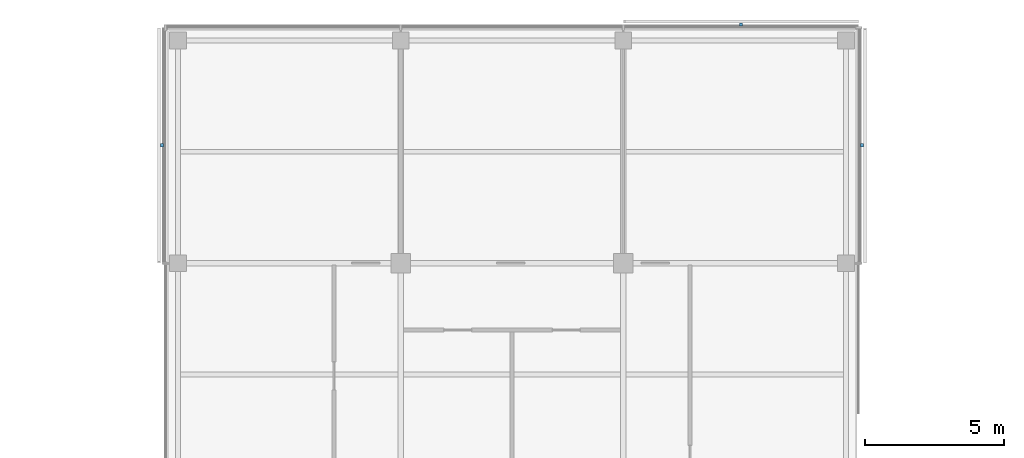
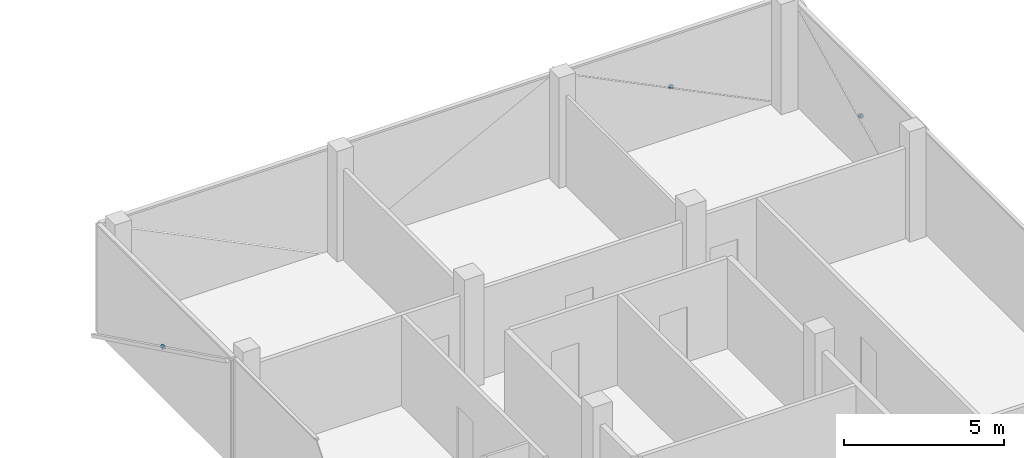
# One storey, part 15 of 16: 3 discrete accessories.
"""IFC4 building model written with IfcOpenShell, lengths in metres."""

from ifc_helpers import new_model, si_unit, direction, frame, origin, origin_2d, place, context, subcontext, project, spatial, rectangle, extrude, material, type_object, element, save


model = new_model("IFC4")

# Units and contexts
model_context = context("Model", 3, precision=1e-05, world=origin(), true_north=direction((0.0, 1.0)))
body_context = subcontext(model_context, "Body", "Model", "MODEL_VIEW")
ifc_project = project(units=[si_unit("LENGTHUNIT", "METRE"), si_unit("AREAUNIT", "SQUARE_METRE"), si_unit("VOLUMEUNIT", "CUBIC_METRE"), si_unit("PLANEANGLEUNIT", "RADIAN"), si_unit("MASSUNIT", "GRAM", prefix="KILO")], contexts=[model_context])

# Site, building, storey
site_placement = place(None, origin())
site = spatial("IfcSite", under=ifc_project, at=site_placement, CompositionType="ELEMENT")
building_placement = place(site_placement, origin())
building = spatial("IfcBuilding", under=site, at=building_placement, Name="Crosswind Convention Tower", CompositionType="ELEMENT")
storey_placement = place(building_placement, frame((0.0, 0.0, 253.5)))
storey = spatial("IfcBuildingStorey", under=building, at=storey_placement, Name="L54", CompositionType="ELEMENT", Elevation=253.5)

# Discrete accessories
ifc_material = material(Name="Stainless steel", Category="steel")
discrete_accessory_type = type_object("IfcDiscreteAccessoryType", Name="BAGUETTE BRACKET BK3", PredefinedType="BRACKET", material=ifc_material)
for number, where, z_axis, x_axis, name in (
    (1, (137.575927734375, 124.22998046875, 1.704833984375), (0.0, 0.0, 1.0), (0.0, 1.0, 0.0), "BK3 baguette bracket"),
    (2, (133.22998046875, 128.575927734375, 1.704833984375), (0.0, 0.0, 1.0), (-1.0, 0.0, 0.0), "BK3 baguette bracket"),
    (3, (112.424072265625, 124.22998046875, 1.704833984375), (0.0, 0.0, 1.0), (0.0, -1.0, 0.0), "BK3 baguette bracket"),
):
    element("IfcDiscreteAccessory", number, at=place(storey_placement, frame(where, z_axis=z_axis, x_axis=x_axis)), inside=storey, type_object=discrete_accessory_type, Name=name, PredefinedType="BRACKET", context=body_context, shape_type="SweptSolid", body=[
        extrude(rectangle(XDim=0.1201171875, YDim=0.10009765625, at=origin_2d()), origin(), (0.0, 0.0, 1.0), 0.1201171875),
    ])

save(model, "model.ifc")
